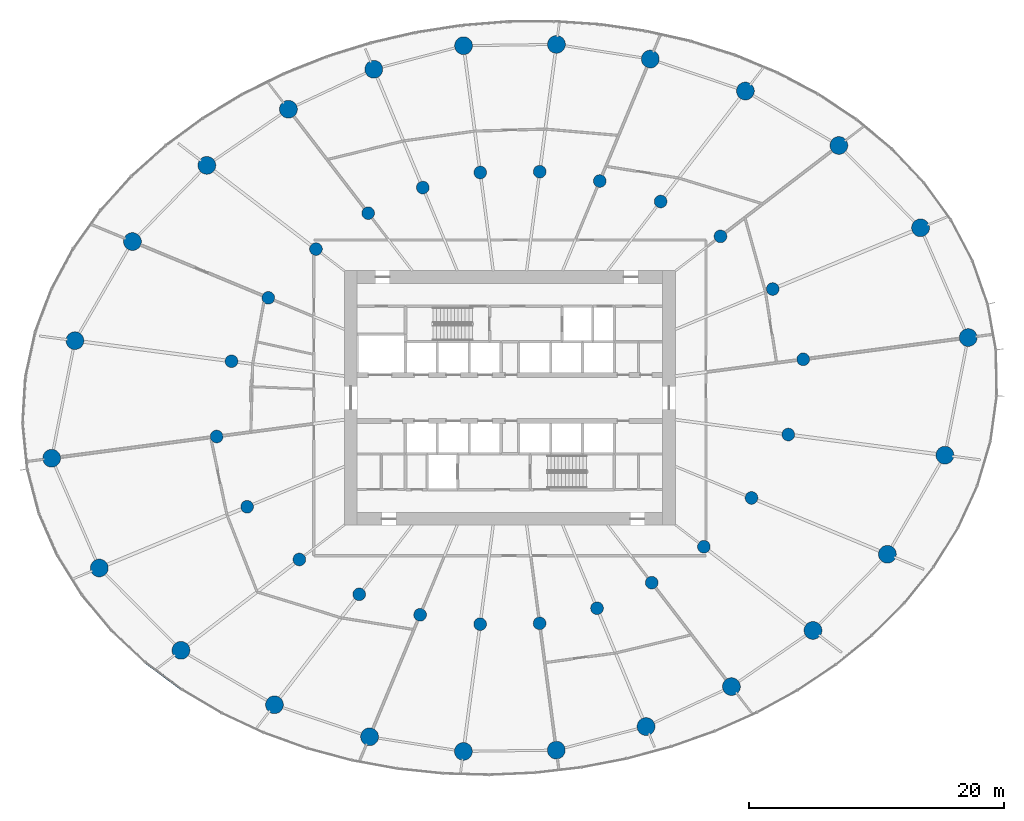
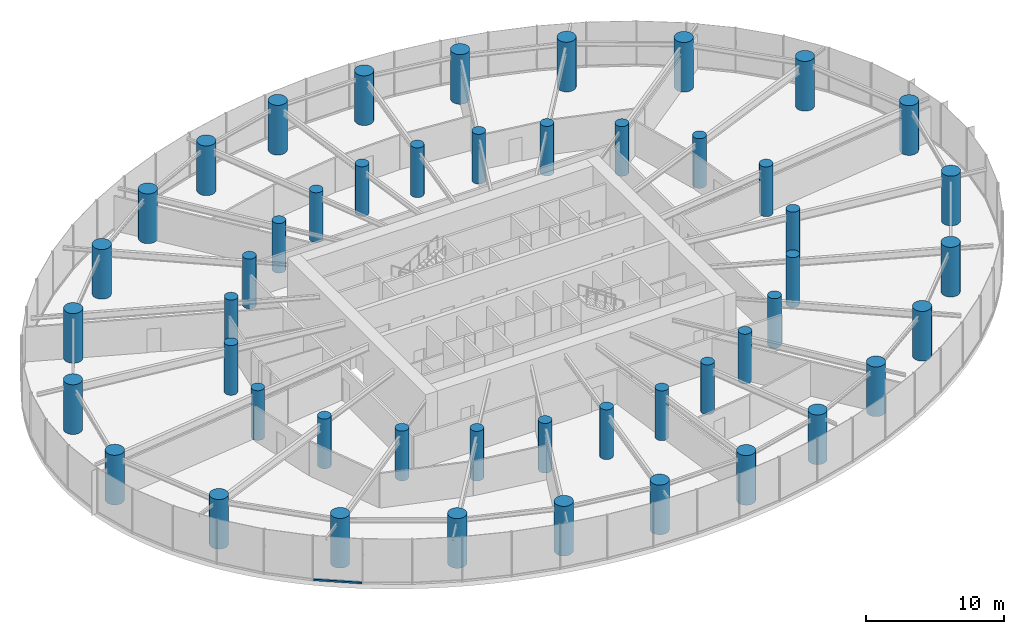
# One storey, part 1 of 17: 48 columns, 1 member, 1 element without a shape of its own.
"""IFC4 building model written with IfcOpenShell, lengths in metres."""

from ifc_helpers import new_model, si_unit, direction, frame, origin, origin_2d, place, context, subcontext, project, spatial, rectangle, circle, extrude, source, transform, mapped, material, layer, layer_set, material_profile, profile_set, type_object, element, aggregate, save


model = new_model("IFC4")

# Units and contexts
model_context = context("Model", 3, precision=1e-05, world=origin(), true_north=direction((0.0, 1.0)))
body_context = subcontext(model_context, "Body", "Model", "MODEL_VIEW")
ifc_project = project(units=[si_unit("LENGTHUNIT", "METRE"), si_unit("AREAUNIT", "SQUARE_METRE"), si_unit("VOLUMEUNIT", "CUBIC_METRE"), si_unit("PLANEANGLEUNIT", "RADIAN"), si_unit("MASSUNIT", "GRAM", prefix="KILO")], contexts=[model_context])

# Site, building, storey
site_placement = place(None, origin())
site = spatial("IfcSite", under=ifc_project, at=site_placement, CompositionType="ELEMENT")
building_placement = place(site_placement, origin())
building = spatial("IfcBuilding", under=site, at=building_placement, Name="Spindrift Exchange Tower", CompositionType="ELEMENT")
storey_placement = place(building_placement, frame((0.0, 0.0, 35.800048828125)))
storey = spatial("IfcBuildingStorey", under=building, at=storey_placement, Name="L08", CompositionType="ELEMENT", Elevation=35.800048828125)

# Columns
ifc_material_1 = material(Name="Concrete 80 MPa", Category="concrete")
ifc_material_profile_1 = material_profile(ifc_material_1, circle(Radius=0.699951171875, at=origin_2d()), Name="RC D1400")
ifc_profile_set_1 = profile_set([ifc_material_profile_1], Name="Concrete 80 MPa")
column_type_1 = type_object("IfcColumnType", Name="RC Perimeter Column D1400 Concrete 80 MPa", PredefinedType="COLUMN", material=ifc_profile_set_1)
shared_shape_1 = source(origin(), body_context, "Body", "SweptSolid", [
    extrude(circle(Radius=0.699951171875, at=origin_2d()), origin(), (0.0, 0.0, 1.0), 4.39990234375),
])
for number, where, z_axis, x_axis, name in (
    (1, (87.990478515625, 52.73828125, 0.0), (0.0, 0.0, 1.0), (1.0, 0.0, 0.0), "Perimeter column P1-01 L08"),
    (2, (84.248779296875, 61.35791015625, 0.0), (0.0, 0.0, 1.0), (1.0, 0.0, 0.0), "Perimeter column P1-02 L08"),
    (3, (77.835693359375, 67.82421875, 0.0), (0.0, 0.0, 1.0), (1.0, 0.0, 0.0), "Perimeter column P1-03 L08"),
    (4, (70.4921875, 72.099609375, 0.0), (0.0, 0.0, 1.0), (1.0, 0.0, 0.0), "Perimeter column P1-04 L08"),
    (5, (63.022705078125, 74.611328125, 0.0), (0.0, 0.0, 1.0), (1.0, 0.0, 0.0), "Perimeter column P1-05 L08"),
    (6, (55.65478515625, 75.761474609375, 0.0), (0.0, 0.0, 1.0), (1.0, 0.0, 0.0), "Perimeter column P1-06 L08"),
    (7, (48.3583984375, 75.661376953125, 0.0), (0.0, 0.0, 1.0), (1.0, 0.0, 0.0), "Perimeter column P1-07 L08"),
    (8, (41.309814453125, 73.80859375, 0.0), (0.0, 0.0, 1.0), (1.0, 0.0, 0.0), "Perimeter column P1-08 L08"),
    (9, (34.603515625, 70.671630859375, 0.0), (0.0, 0.0, 1.0), (1.0, 0.0, 0.0), "Perimeter column P1-09 L08"),
    (10, (28.199462890625, 66.2626953125, 0.0), (0.0, 0.0, 1.0), (1.0, 0.0, 0.0), "Perimeter column P1-10 L08"),
    (11, (22.35546875, 60.279296875, 0.0), (0.0, 0.0, 1.0), (1.0, 0.0, 0.0), "Perimeter column P1-11 L08"),
    (12, (17.8388671875, 52.497314453125, 0.0), (0.0, 0.0, 1.0), (1.0, 0.0, 0.0), "Perimeter column P1-12 L08"),
    (13, (16.009521484375, 43.26171875, 0.0), (0.0, 0.0, 1.0), (1.0, 0.0, 0.0), "Perimeter column P1-13 L08"),
    (14, (19.751220703125, 34.64208984375, 0.0), (0.0, 0.0, 1.0), (1.0, 0.0, 0.0), "Perimeter column P1-14 L08"),
    (15, (26.164306640625, 28.17578125, 0.0), (0.0, 0.0, 1.0), (1.0, 0.0, 0.0), "Perimeter column P1-15 L08"),
    (16, (33.5078125, 23.900390625, 0.0), (0.0, 0.0, 1.0), (1.0, 0.0, 0.0), "Perimeter column P1-16 L08"),
    (17, (40.977294921875, 21.388671875, 0.0), (0.0, 0.0, 1.0), (1.0, 0.0, 0.0), "Perimeter column P1-17 L08"),
    (18, (48.34521484375, 20.238525390625, 0.0), (0.0, 0.0, 1.0), (1.0, 0.0, 0.0), "Perimeter column P1-18 L08"),
    (19, (55.6416015625, 20.338623046875, 0.0), (0.0, 0.0, 1.0), (1.0, 0.0, 0.0), "Perimeter column P1-19 L08"),
    (20, (62.690185546875, 22.19140625, 0.0), (0.0, 0.0, 1.0), (1.0, 0.0, 0.0), "Perimeter column P1-20 L08"),
    (21, (69.396484375, 25.328369140625, 0.0), (0.0, 0.0, 1.0), (1.0, 0.0, 0.0), "Perimeter column P1-21 L08"),
    (22, (75.800537109375, 29.7373046875, 0.0), (0.0, 0.0, 1.0), (1.0, 0.0, 0.0), "Perimeter column P1-22 L08"),
    (23, (81.64453125, 35.720703125, 0.0), (0.0, 0.0, 1.0), (1.0, 0.0, 0.0), "Perimeter column P1-23 L08"),
    (24, (86.1611328125, 43.502685546875, 0.0), (0.0, 0.0, 1.0), (1.0, 0.0, 0.0), "Perimeter column P1-24 L08"),
):
    element("IfcColumn", number, at=place(storey_placement, frame(where, z_axis=z_axis, x_axis=x_axis)), inside=storey, type_object=column_type_1, Name=name, PredefinedType="COLUMN", context=body_context, shape_type="MappedRepresentation", body=[
        mapped(shared_shape_1, transform((0.0, 0.0, 0.0), scale=1.0)),
    ])
ifc_material_profile_2 = material_profile(ifc_material_1, circle(Radius=0.5, at=origin_2d()), Name="RC D1000")
ifc_profile_set_2 = profile_set([ifc_material_profile_2], Name="Concrete 80 MPa")
column_type_2 = type_object("IfcColumnType", Name="RC Inner Column D1000 Concrete 80 MPa", PredefinedType="COLUMN", material=ifc_profile_set_2)
shared_shape_2 = source(origin(), body_context, "Body", "SweptSolid", [
    extrude(circle(Radius=0.5, at=origin_2d()), origin(), (0.0, 0.0, 1.0), 4.39990234375),
])
for number, where, z_axis, x_axis, name in (
    (25, (75.033935546875, 51.032470703125, 0.0), (0.0, 0.0, 1.0), (1.0, 0.0, 0.0), "Inner column Q1-01 L08"),
    (26, (72.639404296875, 56.549072265625, 0.0), (0.0, 0.0, 1.0), (1.0, 0.0, 0.0), "Inner column Q1-02 L08"),
    (27, (68.534912109375, 60.6875, 0.0), (0.0, 0.0, 1.0), (1.0, 0.0, 0.0), "Inner column Q1-03 L08"),
    (28, (63.835205078125, 63.423828125, 0.0), (0.0, 0.0, 1.0), (1.0, 0.0, 0.0), "Inner column Q1-04 L08"),
    (29, (59.0546875, 65.03125, 0.0), (0.0, 0.0, 1.0), (1.0, 0.0, 0.0), "Inner column Q1-05 L08"),
    (30, (54.339111328125, 65.767333984375, 0.0), (0.0, 0.0, 1.0), (1.0, 0.0, 0.0), "Inner column Q1-06 L08"),
    (31, (49.669189453125, 65.703125, 0.0), (0.0, 0.0, 1.0), (1.0, 0.0, 0.0), "Inner column Q1-07 L08"),
    (32, (45.158203125, 64.517578125, 0.0), (0.0, 0.0, 1.0), (1.0, 0.0, 0.0), "Inner column Q1-08 L08"),
    (33, (40.8662109375, 62.510009765625, 0.0), (0.0, 0.0, 1.0), (1.0, 0.0, 0.0), "Inner column Q1-09 L08"),
    (34, (36.767578125, 59.688232421875, 0.0), (0.0, 0.0, 1.0), (1.0, 0.0, 0.0), "Inner column Q1-10 L08"),
    (35, (33.027587890625, 55.858642578125, 0.0), (0.0, 0.0, 1.0), (1.0, 0.0, 0.0), "Inner column Q1-11 L08"),
    (36, (30.13671875, 50.87841796875, 0.0), (0.0, 0.0, 1.0), (1.0, 0.0, 0.0), "Inner column Q1-12 L08"),
    (37, (28.966064453125, 44.967529296875, 0.0), (0.0, 0.0, 1.0), (1.0, 0.0, 0.0), "Inner column Q1-13 L08"),
    (38, (31.360595703125, 39.450927734375, 0.0), (0.0, 0.0, 1.0), (1.0, 0.0, 0.0), "Inner column Q1-14 L08"),
    (39, (35.465087890625, 35.3125, 0.0), (0.0, 0.0, 1.0), (1.0, 0.0, 0.0), "Inner column Q1-15 L08"),
    (40, (40.164794921875, 32.576171875, 0.0), (0.0, 0.0, 1.0), (1.0, 0.0, 0.0), "Inner column Q1-16 L08"),
    (41, (44.9453125, 30.96875, 0.0), (0.0, 0.0, 1.0), (1.0, 0.0, 0.0), "Inner column Q1-17 L08"),
    (42, (49.660888671875, 30.232666015625, 0.0), (0.0, 0.0, 1.0), (1.0, 0.0, 0.0), "Inner column Q1-18 L08"),
    (43, (54.330810546875, 30.296875, 0.0), (0.0, 0.0, 1.0), (1.0, 0.0, 0.0), "Inner column Q1-19 L08"),
    (44, (58.841796875, 31.482421875, 0.0), (0.0, 0.0, 1.0), (1.0, 0.0, 0.0), "Inner column Q1-20 L08"),
    (45, (63.1337890625, 33.489990234375, 0.0), (0.0, 0.0, 1.0), (1.0, 0.0, 0.0), "Inner column Q1-21 L08"),
    (46, (67.232421875, 36.311767578125, 0.0), (0.0, 0.0, 1.0), (1.0, 0.0, 0.0), "Inner column Q1-22 L08"),
    (47, (70.972412109375, 40.141357421875, 0.0), (0.0, 0.0, 1.0), (1.0, 0.0, 0.0), "Inner column Q1-23 L08"),
    (48, (73.86328125, 45.12158203125, 0.0), (0.0, 0.0, 1.0), (1.0, 0.0, 0.0), "Inner column Q1-24 L08"),
):
    element("IfcColumn", number, at=place(storey_placement, frame(where, z_axis=z_axis, x_axis=x_axis)), inside=storey, type_object=column_type_2, Name=name, PredefinedType="COLUMN", context=body_context, shape_type="MappedRepresentation", body=[
        mapped(shared_shape_2, transform((0.0, 0.0, 0.0), scale=1.0)),
    ])

# Curtain wall, member
ifc_material_2 = material(Name="Fritted laminated glass with bronze frame", Category="glass")
ifc_layer = layer(ifc_material_2, 0.199951171875)
ifc_layer_set = layer_set([ifc_layer], Name="ZONE 1 BRONZE FRITTED WALL")
curtain_wall_type = type_object("IfcCurtainWallType", Name="ZONE 1 BRONZE FRITTED WALL", PredefinedType="NOTDEFINED", material=ifc_layer_set)
curtain_wall_placement = place(storey_placement, origin())
curtain_wall = element("IfcCurtainWall", 49, at=curtain_wall_placement, inside=storey, type_object=curtain_wall_type, Name="L08 Zone 1 Bronze Fritted Wall run 6", PredefinedType="NOTDEFINED")
ifc_material_3 = material(Name="Bronze anodised aluminium", Category="aluminium")
ifc_material_profile_3 = material_profile(ifc_material_3, rectangle(XDim=0.179931640625, YDim=0.14990234375, at=origin_2d()), Name="ZONE 1 BRONZE FRITTED WALL TRANSOM 180X150")
ifc_profile_set_3 = profile_set([ifc_material_profile_3], Name="Bronze anodised aluminium")
member_type = type_object("IfcMemberType", Name="ZONE 1 BRONZE FRITTED WALL TRANSOM 180X150", PredefinedType="USERDEFINED", material=ifc_profile_set_3)
shared_shape_3 = source(origin(), body_context, "Body", "SweptSolid", [
    extrude(rectangle(XDim=0.179931640625, YDim=0.14990234375, at=origin_2d()), origin(), (0.0, 0.0, 1.0), 3.54638671875),
])
member_placement = place(storey_placement, frame((23.3779296875, 27.22705078125, 0.074951171875), z_axis=(0.803021511913, -0.595950041031, 0.0), x_axis=(0.595950041031, 0.803021511913, 0.0)))
member = element("IfcMember", 50, at=member_placement, type_object=member_type, Name="L08 transom CW-1.36", ObjectType="TRANSOM", PredefinedType="USERDEFINED", context=body_context, shape_type="MappedRepresentation", body=[
    mapped(shared_shape_3, transform((0.0, 0.0, 0.0), scale=1.0)),
])
aggregate(curtain_wall, [member])

save(model, "model.ifc")
